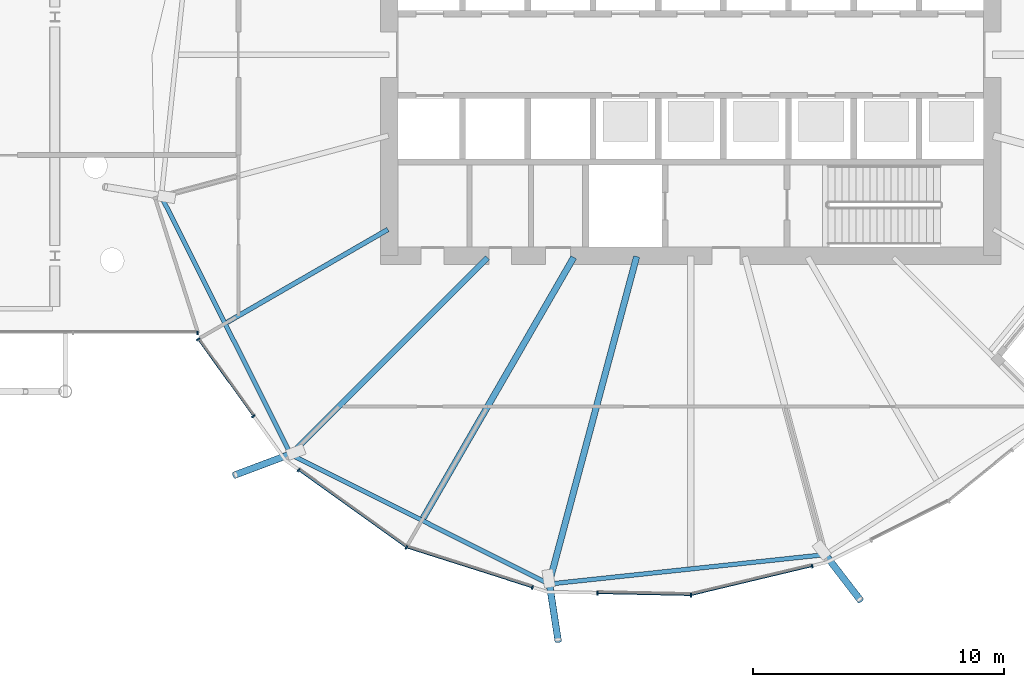
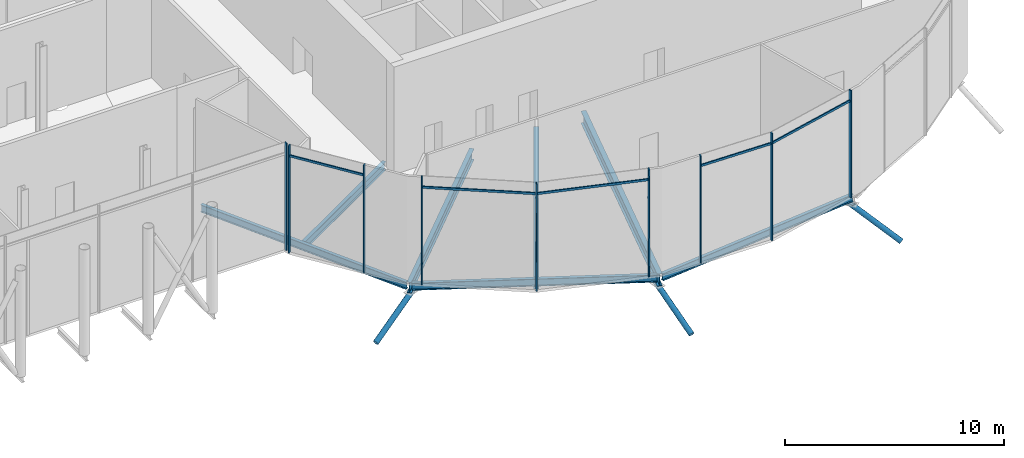
# One storey, part 10 of 38: 17 members, 7 beams, 2 elements without a shape of their own.
"""IFC4 building model written with IfcOpenShell, lengths in metres."""

from ifc_helpers import new_model, si_unit, direction, frame, origin, origin_2d, place, context, subcontext, project, spatial, rectangle, hollow_circle, i_section, extrude, clip, halfspace, material, material_profile, profile_set, type_object, element, aggregate, save


model = new_model("IFC4")

# Units and contexts
model_context = context("Model", 3, precision=1e-05, world=origin(), true_north=direction((0.0, 1.0)))
body_context = subcontext(model_context, "Body", "Model", "MODEL_VIEW")
ifc_project = project(units=[si_unit("LENGTHUNIT", "METRE"), si_unit("AREAUNIT", "SQUARE_METRE"), si_unit("VOLUMEUNIT", "CUBIC_METRE"), si_unit("PLANEANGLEUNIT", "RADIAN"), si_unit("MASSUNIT", "GRAM", prefix="KILO")], contexts=[model_context])

# Site, building, storey
site_placement = place(None, origin())
site = spatial("IfcSite", under=ifc_project, at=site_placement, CompositionType="ELEMENT")
building_placement = place(site_placement, origin())
building = spatial("IfcBuilding", under=site, at=building_placement, Name="Rimbun Link Towers", CompositionType="ELEMENT")
storey_placement = place(building_placement, frame((0.0, 0.0, 133.199951171875)))
storey = spatial("IfcBuildingStorey", under=building, at=storey_placement, Name="L32", CompositionType="ELEMENT", Elevation=133.199951171875)

# Curtain wall, members
ifc_material_1 = material(Name="Aluminium 6063-T6 and low-iron glass", Category="aluminium")
curtain_wall_type = type_object("IfcCurtainWallType", Name="CW5 full height lobby wall", PredefinedType="NOTDEFINED", material=ifc_material_1)
curtain_wall_1_placement = place(storey_placement, origin())
curtain_wall_1 = element("IfcCurtainWall", 1, at=curtain_wall_1_placement, inside=storey, type_object=curtain_wall_type, Name="CW5 L32 T2", PredefinedType="NOTDEFINED")
ifc_material_2 = material(Name="Aluminium 6063-T6", Category="aluminium")
ifc_material_profile_1 = material_profile(ifc_material_2, rectangle(XDim=0.14990234375, YDim=0.06005859375, at=origin_2d()), Name="MULLION 60X150")
ifc_profile_set_1 = profile_set([ifc_material_profile_1], Name="Aluminium 6063-T6")
member_type_1 = type_object("IfcMemberType", Name="CW5 mullion 60X150", PredefinedType="MULLION", material=ifc_profile_set_1)
member_1_placement = place(storey_placement, frame((14.346435546875, -14.385986328125, 0.0), z_axis=(0.0, 0.0, 1.0), x_axis=(-0.81246534364, -0.58300948996, 0.0)))
member_1 = element("IfcMember", 2, at=member_1_placement, type_object=member_type_1, Name="CW5 mullion", PredefinedType="MULLION", context=body_context, shape_type="SweptSolid", body=[
    extrude(rectangle(XDim=0.14990234375, YDim=0.06005859375, at=origin_2d()), origin(), (0.0, 0.0, 1.0), 6.0),
])
member_2_placement = place(storey_placement, frame((12.149658203125, -11.32470703125, 0.0), z_axis=(0.0, 0.0, 1.0), x_axis=(-0.81246534364, -0.58300948996, 0.0)))
member_2 = element("IfcMember", 3, at=member_2_placement, type_object=member_type_1, Name="CW5 mullion", PredefinedType="MULLION", context=body_context, shape_type="SweptSolid", body=[
    extrude(rectangle(XDim=0.14990234375, YDim=0.06005859375, at=origin_2d()), origin(), (0.0, 0.0, 1.0), 6.0),
])
member_3_placement = place(storey_placement, frame((20.435302734375, -19.6064453125, 0.0), z_axis=(0.0, 0.0, 1.0), x_axis=(-0.448570078695, -0.893747662654, 0.0)))
member_3 = element("IfcMember", 4, at=member_3_placement, type_object=member_type_1, Name="CW5 mullion", PredefinedType="MULLION", context=body_context, shape_type="SweptSolid", body=[
    extrude(rectangle(XDim=0.14990234375, YDim=0.06005859375, at=origin_2d()), origin(), (0.0, 0.0, 1.0), 6.0),
])
member_4_placement = place(storey_placement, frame((16.145263671875, -16.529052734375, 0.0), z_axis=(0.0, 0.0, 1.0), x_axis=(-0.58300948996, -0.81246534364, 0.0)))
member_4 = element("IfcMember", 5, at=member_4_placement, type_object=member_type_1, Name="CW5 mullion", PredefinedType="MULLION", context=body_context, shape_type="SweptSolid", body=[
    extrude(rectangle(XDim=0.14990234375, YDim=0.06005859375, at=origin_2d()), origin(), (0.0, 0.0, 1.0), 6.0),
])
member_5_placement = place(storey_placement, frame((25.4453125, -21.200439453125, 0.0), z_axis=(0.0, 0.0, 1.0), x_axis=(-0.303059612182, -0.952971600555, 0.0)))
member_5 = element("IfcMember", 6, at=member_5_placement, type_object=member_type_1, Name="CW5 mullion", PredefinedType="MULLION", context=body_context, shape_type="SweptSolid", body=[
    extrude(rectangle(XDim=0.14990234375, YDim=0.06005859375, at=origin_2d()), origin(), (0.0, 0.0, 1.0), 6.0),
])
member_6_placement = place(storey_placement, frame((31.758056640625, -21.505859375, 0.0), z_axis=(0.0, 0.0, 1.0), x_axis=(0.106633389337, -0.994298406052, 0.0)))
member_6 = element("IfcMember", 7, at=member_6_placement, type_object=member_type_1, Name="CW5 mullion", PredefinedType="MULLION", context=body_context, shape_type="SweptSolid", body=[
    extrude(rectangle(XDim=0.14990234375, YDim=0.06005859375, at=origin_2d()), origin(), (0.0, 0.0, 1.0), 6.0),
])
member_7_placement = place(storey_placement, frame((28.037841796875, -21.427978515625, 0.0), z_axis=(0.0, 0.0, 1.0), x_axis=(-0.021062889527, -0.999778152734, 0.0)))
member_7 = element("IfcMember", 8, at=member_7_placement, type_object=member_type_1, Name="CW5 mullion", PredefinedType="MULLION", context=body_context, shape_type="SweptSolid", body=[
    extrude(rectangle(XDim=0.14990234375, YDim=0.06005859375, at=origin_2d()), origin(), (0.0, 0.0, 1.0), 6.0),
])
member_8_placement = place(storey_placement, frame((36.58056640625, -20.35302734375, 0.0), z_axis=(0.0, 0.0, 1.0), x_axis=(0.232587665973, -0.972575435448, 0.0)))
member_8 = element("IfcMember", 9, at=member_8_placement, type_object=member_type_1, Name="CW5 mullion", PredefinedType="MULLION", context=body_context, shape_type="SweptSolid", body=[
    extrude(rectangle(XDim=0.14990234375, YDim=0.06005859375, at=origin_2d()), origin(), (0.0, 0.0, 1.0), 6.0),
])

# Curtain wall, member
curtain_wall_2_placement = place(storey_placement, origin())
curtain_wall_2 = element("IfcCurtainWall", 10, at=curtain_wall_2_placement, inside=storey, type_object=curtain_wall_type, Name="CW5 L32 LB", PredefinedType="NOTDEFINED")
member_9_placement = place(storey_placement, frame((12.121337890625, -11.074951171875, 0.0), z_axis=(0.0, 0.0, 1.0), x_axis=(0.0, -1.0, 0.0)))
member_9 = element("IfcMember", 11, at=member_9_placement, type_object=member_type_1, Name="CW5 mullion", PredefinedType="MULLION", context=body_context, shape_type="SweptSolid", body=[
    extrude(rectangle(XDim=0.14990234375, YDim=0.06005859375, at=origin_2d()), origin(), (0.0, 0.0, 1.0), 6.0),
])
aggregate(curtain_wall_2, [member_9])

# Member
ifc_material_3 = material(Name="Aluminium 6063-T6", Category="aluminium")
ifc_material_profile_2 = material_profile(ifc_material_3, rectangle(XDim=0.06005859375, YDim=0.1201171875, at=origin_2d()), Name="TRANSOM 60X120")
ifc_profile_set_2 = profile_set([ifc_material_profile_2], Name="Aluminium 6063-T6")
member_type_2 = type_object("IfcMemberType", Name="CW5 transom 60X120", PredefinedType="USERDEFINED", material=ifc_profile_set_2)
member_10_placement = place(storey_placement, frame((14.339599609375, -14.35400390625, 5.400146484375), z_axis=(-0.583043005506, 0.812441292483, 0.0), x_axis=(-0.812441292483, -0.583043005506, 0.0)))
member_10 = element("IfcMember", 12, at=member_10_placement, type_object=member_type_2, Name="CW5 transom", ObjectType="TRANSOM", PredefinedType="USERDEFINED", context=body_context, shape_type="SweptSolid", body=[
    extrude(rectangle(XDim=0.06005859375, YDim=0.1201171875, at=origin_2d()), origin(), (0.0, 0.0, 1.0), 3.7080078125),
])

member_11_placement = place(storey_placement, frame((20.408447265625, -19.572265625, 5.400146484375), z_axis=(-0.812451841863, 0.58302830519, 0.0), x_axis=(-0.58302830519, -0.812451841863, 0.0)))
member_11 = element("IfcMember", 13, at=member_11_placement, type_object=member_type_2, Name="CW5 transom", ObjectType="TRANSOM", PredefinedType="USERDEFINED", context=body_context, shape_type="SweptSolid", body=[
    extrude(rectangle(XDim=0.06005859375, YDim=0.1201171875, at=origin_2d()), origin(), (0.0, 0.0, 1.0), 5.2080078125),
])

member_12_placement = place(storey_placement, frame((25.420654296875, -21.178955078125, 5.400146484375), z_axis=(-0.952975231307, 0.303048195036, 0.0), x_axis=(-0.303048195036, -0.952975231307, 0.0)))
member_12 = element("IfcMember", 14, at=member_12_placement, type_object=member_type_2, Name="CW5 transom", ObjectType="TRANSOM", PredefinedType="USERDEFINED", context=body_context, shape_type="SweptSolid", body=[
    extrude(rectangle(XDim=0.06005859375, YDim=0.1201171875, at=origin_2d()), origin(), (0.0, 0.0, 1.0), 5.185791015625),
])

member_13_placement = place(storey_placement, frame((31.71875, -21.49267578125, 5.400146484375), z_axis=(-0.999776775393, 0.021128165654, 0.0), x_axis=(-0.021128165654, -0.999776775393, 0.0)))
member_13 = element("IfcMember", 15, at=member_13_placement, type_object=member_type_2, Name="CW5 transom", ObjectType="TRANSOM", PredefinedType="USERDEFINED", context=body_context, shape_type="SweptSolid", body=[
    extrude(rectangle(XDim=0.06005859375, YDim=0.1201171875, at=origin_2d()), origin(), (0.0, 0.0, 1.0), 3.6513671875),
])

member_14_placement = place(storey_placement, frame((36.54833984375, -20.347412109375, 5.400146484375), z_axis=(-0.972568331287, -0.232617370328, 0.0), x_axis=(0.232617370328, -0.972568331287, 0.0)))
member_14 = element("IfcMember", 16, at=member_14_placement, type_object=member_type_2, Name="CW5 transom", ObjectType="TRANSOM", PredefinedType="USERDEFINED", context=body_context, shape_type="SweptSolid", body=[
    extrude(rectangle(XDim=0.06005859375, YDim=0.1201171875, at=origin_2d()), origin(), (0.0, 0.0, 1.0), 4.888671875),
])

aggregate(curtain_wall_1, [member_1, member_2, member_3, member_4, member_5, member_6, member_7, member_8, member_10, member_11, member_12, member_13, member_14])

# Members
ifc_material_4 = material(Name="Steel S355J2H", Category="steel")
ifc_material_profile_3 = material_profile(ifc_material_4, hollow_circle(Radius=0.136474609375, WallThickness=0.012451171875, at=origin_2d()), Name="CHS 273x12.5")
ifc_profile_set_3 = profile_set([ifc_material_profile_3], Name="Steel S355J2H")
member_type_3 = type_object("IfcMemberType", Name="Floor edge link CHS 273x12.5", PredefinedType="BRACE", material=ifc_profile_set_3)
member_15_placement = place(storey_placement, frame((15.87548828125, -15.87451171875, -0.901123046875), z_axis=(-0.81453033842, -0.306136308739, -0.492768595047), x_axis=(0.351815953425, -0.936069193444, 0.0)))
element("IfcMember", 17, at=member_15_placement, inside=storey, type_object=member_type_3, Name="Floor edge link T2 L32 12", PredefinedType="BRACE", context=body_context, shape_type="Clipping", body=[
    clip(extrude(hollow_circle(Radius=0.136474609375, WallThickness=0.012451171875, at=origin_2d()), frame((0.0, 0.0, -0.50244140625)), (0.0, 0.0, 1.0), 3.29931640625), halfspace(frame((0.0, 0.0, -0.236572265625), z_axis=(0.0, 0.870160394258, -0.492768595047)), False)),
])
member_16_placement = place(storey_placement, frame((26.119384765625, -21.013916015625, -0.981689453125), z_axis=(0.132261568586, -0.85847639103, -0.495504958117), x_axis=(0.988339098526, 0.15226892764, 0.0)))
element("IfcMember", 18, at=member_16_placement, inside=storey, type_object=member_type_3, Name="Floor edge link T2 L32 14", PredefinedType="BRACE", context=body_context, shape_type="Clipping", body=[
    clip(extrude(hollow_circle(Radius=0.136474609375, WallThickness=0.012451171875, at=origin_2d()), frame((0.0, 0.0, -0.498779296875)), (0.0, 0.0, 1.0), 3.19189453125), halfspace(frame((0.0, 0.0, -0.234619140625), z_axis=(0.0, 0.868605109633, -0.495504958117)), False)),
])
member_17_placement = place(storey_placement, frame((37.067626953125, -19.845703125, -0.98193359375), z_axis=(0.530527443977, -0.689360974892, -0.493276877101), x_axis=(0.792485204349, 0.609891138555, 0.0)))
element("IfcMember", 19, at=member_17_placement, inside=storey, type_object=member_type_3, Name="Floor edge link T2 L32 16", PredefinedType="BRACE", context=body_context, shape_type="Clipping", body=[
    clip(extrude(hollow_circle(Radius=0.136474609375, WallThickness=0.012451171875, at=origin_2d()), frame((0.0, 0.0, -0.501708984375)), (0.0, 0.0, 1.0), 3.20849609375), halfspace(frame((0.0, 0.0, -0.236083984375), z_axis=(0.0, 0.8698723599, -0.493276877101)), False)),
])

# Beams
ifc_material_5 = material(Name="Steel S355J2", Category="steel")
ifc_material_profile_4 = material_profile(ifc_material_5, i_section(OverallWidth=0.177978515625, OverallDepth=0.406494140625, WebThickness=0.0078125, FlangeThickness=0.0126953125, at=origin_2d()), Name="UB 406x178x60")
ifc_profile_set_4 = profile_set([ifc_material_profile_4], Name="Steel S355J2")
beam_type_1 = type_object("IfcBeamType", Name="UB 406x178x60", PredefinedType="BEAM", material=ifc_profile_set_4)
beam_1_placement = place(storey_placement, frame((10.736083984375, -5.739990234375, -0.383056640625), z_axis=(0.448548941568, -0.893758271021, 0.0), x_axis=(0.893758271021, 0.448548941568, 0.0)))
element("IfcBeam", 20, at=beam_1_placement, inside=storey, type_object=beam_type_1, Name="Edge beam T2 L32 10-12", PredefinedType="BEAM", context=body_context, shape_type="SweptSolid", body=[
    extrude(i_section(OverallWidth=0.177978515625, OverallDepth=0.406494140625, WebThickness=0.0078125, FlangeThickness=0.0126953125, at=origin_2d()), origin(), (0.0, 0.0, 1.0), 11.258056640625),
])
beam_2_placement = place(storey_placement, frame((15.947998046875, -15.964111328125, -0.383056640625), z_axis=(0.893761275796, -0.44854295434, 0.0), x_axis=(0.44854295434, 0.893761275796, 0.0)))
element("IfcBeam", 21, at=beam_2_placement, inside=storey, type_object=beam_type_1, Name="Edge beam T2 L32 12-14", PredefinedType="BEAM", context=body_context, shape_type="SweptSolid", body=[
    extrude(i_section(OverallWidth=0.177978515625, OverallDepth=0.406494140625, WebThickness=0.0078125, FlangeThickness=0.0126953125, at=origin_2d()), origin(), (0.0, 0.0, 1.0), 11.2353515625),
])
beam_3_placement = place(storey_placement, frame((26.24267578125, -21.0478515625, -0.383056640625), z_axis=(0.994380538527, 0.105864746721, 0.0), x_axis=(-0.105864746721, 0.994380538527, 0.0)))
element("IfcBeam", 22, at=beam_3_placement, inside=storey, type_object=beam_type_1, Name="Edge beam T2 L32 14-16", PredefinedType="BEAM", context=body_context, shape_type="SweptSolid", body=[
    extrude(i_section(OverallWidth=0.177978515625, OverallDepth=0.406494140625, WebThickness=0.0078125, FlangeThickness=0.0126953125, at=origin_2d()), origin(), (0.0, 0.0, 1.0), 10.769775390625),
])
ifc_material_6 = material(Name="Steel S355J2", Category="steel")
ifc_material_profile_5 = material_profile(ifc_material_6, i_section(OverallWidth=0.18994140625, OverallDepth=0.453369140625, WebThickness=0.008544921875, FlangeThickness=0.0126953125, at=origin_2d()), Name="UB 457x191x67")
ifc_profile_set_5 = profile_set([ifc_material_profile_5], Name="Steel S355J2")
beam_type_2 = type_object("IfcBeamType", Name="UB 457x191x67", PredefinedType="BEAM", material=ifc_profile_set_5)
beam_4_placement = place(storey_placement, frame((19.70166015625, -6.9560546875, -0.40673828125), z_axis=(-0.866028798401, -0.499994120305, 0.0), x_axis=(0.499994120305, -0.866028798401, 0.0)))
element("IfcBeam", 23, at=beam_4_placement, inside=storey, type_object=beam_type_2, Name="Radial beam T2 L32 11", PredefinedType="BEAM", context=body_context, shape_type="SweptSolid", body=[
    extrude(i_section(OverallWidth=0.18994140625, OverallDepth=0.453369140625, WebThickness=0.008544921875, FlangeThickness=0.0126953125, at=origin_2d()), origin(), (0.0, 0.0, 1.0), 7.39013671875),
])
ifc_material_7 = material(Name="Steel S355J2", Category="steel")
ifc_material_profile_6 = material_profile(ifc_material_7, i_section(OverallWidth=0.2275390625, OverallDepth=0.6025390625, WebThickness=0.010498046875, FlangeThickness=0.014892578125, at=origin_2d()), Name="UB 610x229x101")
ifc_profile_set_6 = profile_set([ifc_material_profile_6], Name="Steel S355J2")
beam_type_3 = type_object("IfcBeamType", Name="UB 610x229x101", PredefinedType="BEAM", material=ifc_profile_set_6)
beam_5_placement = place(storey_placement, frame((23.668701171875, -8.081298828125, -0.481201171875), z_axis=(-0.707106781187, -0.707106781187, 0.0), x_axis=(0.707106781187, -0.707106781187, 0.0)))
element("IfcBeam", 24, at=beam_5_placement, inside=storey, type_object=beam_type_3, Name="Radial beam T2 L32 12", PredefinedType="BEAM", context=body_context, shape_type="SweptSolid", body=[
    extrude(i_section(OverallWidth=0.2275390625, OverallDepth=0.6025390625, WebThickness=0.010498046875, FlangeThickness=0.014892578125, at=origin_2d()), origin(), (0.0, 0.0, 1.0), 11.0712890625),
])
ifc_material_8 = material(Name="Steel S355J2", Category="steel")
ifc_material_profile_7 = material_profile(ifc_material_8, i_section(OverallWidth=0.253662109375, OverallDepth=0.68359375, WebThickness=0.012451171875, FlangeThickness=0.01904296875, at=origin_2d()), Name="UB 686x254x140")
ifc_profile_set_7 = profile_set([ifc_material_profile_7], Name="Steel S355J2")
beam_type_4 = type_object("IfcBeamType", Name="UB 686x254x140", PredefinedType="BEAM", material=ifc_profile_set_7)
beam_6_placement = place(storey_placement, frame((27.093994140625, -8.064208984375, -0.521728515625), z_axis=(-0.499984479505, -0.866034364361, 0.0), x_axis=(0.866034364361, -0.499984479505, 0.0)))
element("IfcBeam", 25, at=beam_6_placement, inside=storey, type_object=beam_type_4, Name="Radial beam T2 L32 13", PredefinedType="BEAM", context=body_context, shape_type="SweptSolid", body=[
    extrude(i_section(OverallWidth=0.253662109375, OverallDepth=0.68359375, WebThickness=0.012451171875, FlangeThickness=0.01904296875, at=origin_2d()), origin(), (0.0, 0.0, 1.0), 11.99072265625),
])
beam_7_placement = place(storey_placement, frame((29.597412109375, -8.03369140625, -0.521728515625), z_axis=(-0.258817210165, -0.965926317957, 0.0), x_axis=(0.965926317957, -0.258817210165, 0.0)))
element("IfcBeam", 26, at=beam_7_placement, inside=storey, type_object=beam_type_4, Name="Radial beam T2 L32 14", PredefinedType="BEAM", context=body_context, shape_type="SweptSolid", body=[
    extrude(i_section(OverallWidth=0.253662109375, OverallDepth=0.68359375, WebThickness=0.012451171875, FlangeThickness=0.01904296875, at=origin_2d()), origin(), (0.0, 0.0, 1.0), 13.488037109375),
])

save(model, "model.ifc")
